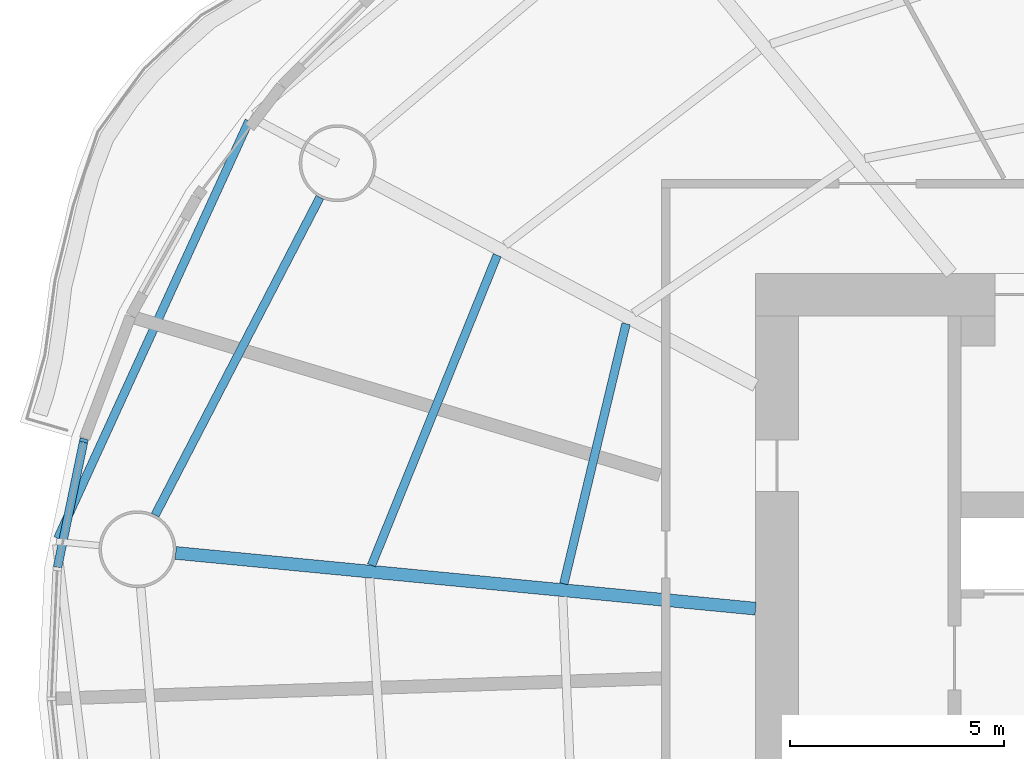
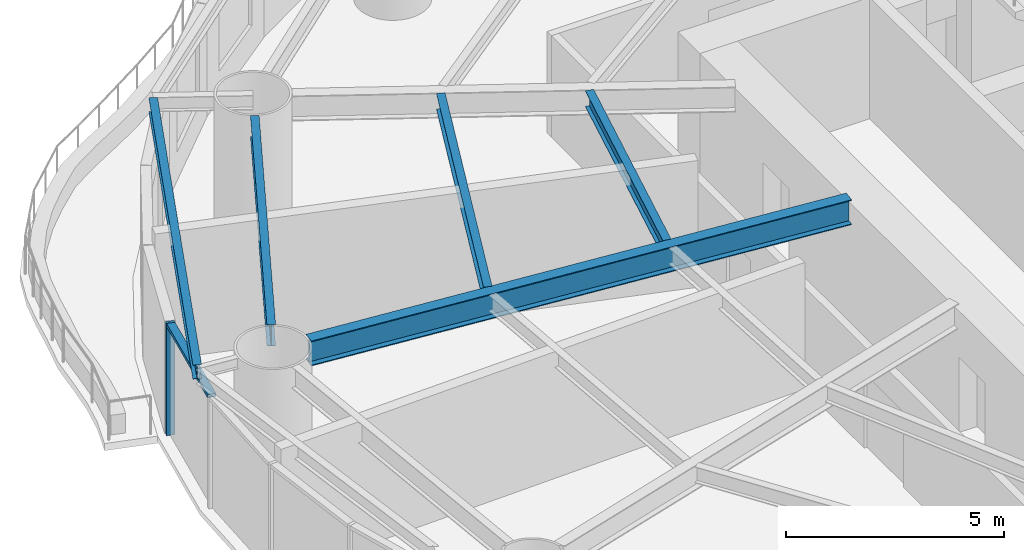
# One storey, part 3 of 16: 5 beams, 2 members, 1 element without a shape of its own.
"""IFC4 building model written with IfcOpenShell, lengths in metres."""

from ifc_helpers import new_model, si_unit, direction, frame, origin, origin_2d, place, context, subcontext, project, spatial, rectangle, i_section, extrude, material, material_profile, profile_set, type_object, element, aggregate, save


model = new_model("IFC4")

# Units and contexts
model_context = context("Model", 3, precision=1e-05, world=origin(), true_north=direction((0.0, 1.0)))
body_context = subcontext(model_context, "Body", "Model", "MODEL_VIEW")
ifc_project = project(units=[si_unit("LENGTHUNIT", "METRE"), si_unit("AREAUNIT", "SQUARE_METRE"), si_unit("VOLUMEUNIT", "CUBIC_METRE"), si_unit("PLANEANGLEUNIT", "RADIAN"), si_unit("MASSUNIT", "GRAM", prefix="KILO")], contexts=[model_context])

# Site, building, storey
site_placement = place(None, origin())
site = spatial("IfcSite", under=ifc_project, at=site_placement, CompositionType="ELEMENT")
building_placement = place(site_placement, origin())
building = spatial("IfcBuilding", under=site, at=building_placement, Name="Vermilion Reach Broadcast Tower", CompositionType="ELEMENT")
storey_placement = place(building_placement, frame((0.0, 0.0, 43.39990234375)))
storey = spatial("IfcBuildingStorey", under=building, at=storey_placement, Name="L07", CompositionType="ELEMENT", Elevation=43.39990234375)

# Beams
ifc_material_1 = material(Name="Steel S355J2", Category="steel")
ifc_material_profile_1 = material_profile(ifc_material_1, i_section(OverallWidth=0.199951171875, OverallDepth=0.39990234375, WebThickness=0.008056640625, FlangeThickness=0.012939453125, at=origin_2d()), Name="S355J2 HN 400x200x8x13")
ifc_profile_set_1 = profile_set([ifc_material_profile_1], Name="Steel S355J2")
beam_type_1 = type_object("IfcBeamType", Name="EB1 HN 400x200x8x13", PredefinedType="BEAM", material=ifc_profile_set_1)
beam_1_placement = place(storey_placement, frame((-29.853759765625, 12.564697265625, 3.35009765625), z_axis=(-0.416361224981, -0.909199279769, 0.0), x_axis=(0.909199279769, -0.416361224981, 0.0)))
element("IfcBeam", 1, at=beam_1_placement, inside=storey, type_object=beam_type_1, Name="Edge beam EB1-07", PredefinedType="BEAM", context=body_context, shape_type="SweptSolid", body=[
    extrude(i_section(OverallWidth=0.199951171875, OverallDepth=0.39990234375, WebThickness=0.008056640625, FlangeThickness=0.012939453125, at=origin_2d()), origin(), (0.0, 0.0, 1.0), 10.7421875),
])
ifc_material_2 = material(Name="Steel S355J2", Category="steel")
ifc_material_profile_2 = material_profile(ifc_material_2, i_section(OverallWidth=0.300048828125, OverallDepth=0.699951171875, WebThickness=0.012939453125, FlangeThickness=0.02392578125, at=origin_2d()), Name="S355J2 HN 700x300x13x24")
ifc_profile_set_2 = profile_set([ifc_material_profile_2], Name="Steel S355J2")
beam_type_2 = type_object("IfcBeamType", Name="G1 HN 700x300x13x24", PredefinedType="BEAM", material=ifc_profile_set_2)
beam_2_placement = place(storey_placement, frame((-18.0, 1.1533203125, 3.2001953125), z_axis=(-0.995412178872, 0.095679643363, 0.0), x_axis=(-0.095679643363, -0.995412178872, 0.0)))
element("IfcBeam", 2, at=beam_2_placement, inside=storey, type_object=beam_type_2, Name="Girder G1-08", PredefinedType="BEAM", context=body_context, shape_type="SweptSolid", body=[
    extrude(i_section(OverallWidth=0.300048828125, OverallDepth=0.699951171875, WebThickness=0.012939453125, FlangeThickness=0.02392578125, at=origin_2d()), origin(), (0.0, 0.0, 1.0), 13.630859375),
])
ifc_material_3 = material(Name="Steel S355J2", Category="steel")
ifc_material_profile_3 = material_profile(ifc_material_3, i_section(OverallWidth=0.199951171875, OverallDepth=0.60009765625, WebThickness=0.010986328125, FlangeThickness=0.01708984375, at=origin_2d()), Name="S355J2 HN 600x200x11x17")
ifc_profile_set_3 = profile_set([ifc_material_profile_3], Name="Steel S355J2")
beam_type_3 = type_object("IfcBeamType", Name="RB1 HN 600x200x11x17", PredefinedType="BEAM", material=ifc_profile_set_3)
beam_3_placement = place(storey_placement, frame((-28.194091796875, 10.776611328125, 3.25), z_axis=(-0.460411617218, -0.887705549566, 0.0), x_axis=(0.887705549566, -0.460411617218, 0.0)))
element("IfcBeam", 3, at=beam_3_placement, inside=storey, type_object=beam_type_3, Name="Ring beam RB1-07", PredefinedType="BEAM", context=body_context, shape_type="SweptSolid", body=[
    extrude(i_section(OverallWidth=0.199951171875, OverallDepth=0.60009765625, WebThickness=0.010986328125, FlangeThickness=0.01708984375, at=origin_2d()), origin(), (0.0, 0.0, 1.0), 8.37451171875),
])
ifc_material_4 = material(Name="Steel S355J2", Category="steel")
ifc_material_profile_4 = material_profile(ifc_material_4, i_section(OverallWidth=0.199951171875, OverallDepth=0.449951171875, WebThickness=0.009033203125, FlangeThickness=0.013916015625, at=origin_2d()), Name="S355J2 HN 450x200x9x14")
ifc_profile_set_4 = profile_set([ifc_material_profile_4], Name="Steel S355J2")
beam_type_4 = type_object("IfcBeamType", Name="SB1 HN 450x200x9x14", PredefinedType="BEAM", material=ifc_profile_set_4)
beam_4_placement = place(storey_placement, frame((-21.031005859375, 7.81884765625, 3.3251953125), z_axis=(-0.232844467589, -0.972513986487, 0.0), x_axis=(0.972513986487, -0.232844467589, 0.0)))
element("IfcBeam", 4, at=beam_4_placement, inside=storey, type_object=beam_type_4, Name="Secondary beam SB1-07-1", PredefinedType="BEAM", context=body_context, shape_type="SweptSolid", body=[
    extrude(i_section(OverallWidth=0.199951171875, OverallDepth=0.449951171875, WebThickness=0.009033203125, FlangeThickness=0.013916015625, at=origin_2d()), origin(), (0.0, 0.0, 1.0), 6.25537109375),
])
beam_5_placement = place(storey_placement, frame((-24.046630859375, 9.421630859375, 3.3251953125), z_axis=(-0.375640669938, -0.926765389453, 0.0), x_axis=(0.926765389453, -0.375640669938, 0.0)))
element("IfcBeam", 5, at=beam_5_placement, inside=storey, type_object=beam_type_4, Name="Secondary beam SB1-07-2", PredefinedType="BEAM", context=body_context, shape_type="SweptSolid", body=[
    extrude(i_section(OverallWidth=0.199951171875, OverallDepth=0.449951171875, WebThickness=0.009033203125, FlangeThickness=0.013916015625, at=origin_2d()), origin(), (0.0, 0.0, 1.0), 7.8271484375),
])

# Curtain wall, members
ifc_material_5 = material(Name="Low-e laminated clear glass in aluminium frame", Category="aluminium")
curtain_wall_type = type_object("IfcCurtainWallType", Name="Slot curtain wall", PredefinedType="NOTDEFINED", material=ifc_material_5)
curtain_wall_placement = place(storey_placement, origin())
curtain_wall = element("IfcCurtainWall", 6, at=curtain_wall_placement, inside=storey, type_object=curtain_wall_type, Name="Slot curtain wall L07 22", PredefinedType="NOTDEFINED")
ifc_material_6 = material(Name="Anodised aluminium", Category="aluminium")
ifc_material_profile_5 = material_profile(ifc_material_6, rectangle(XDim=0.199951171875, YDim=0.080078125, at=origin_2d()), Name="Slot mullion 80 x 200")
ifc_profile_set_5 = profile_set([ifc_material_profile_5], Name="Anodised aluminium")
member_type_1 = type_object("IfcMemberType", Name="Slot mullion 80 x 200", PredefinedType="MULLION", material=ifc_profile_set_5)
member_1_placement = place(storey_placement, frame((-33.71728515625, 5.088623046875, 0.0), z_axis=(0.0, 0.0, 1.0), x_axis=(0.960520167064, -0.278210367641, 0.0)))
member_1 = element("IfcMember", 7, at=member_1_placement, type_object=member_type_1, Name="Slot mullion L07 22", PredefinedType="MULLION", context=body_context, shape_type="SweptSolid", body=[
    extrude(rectangle(XDim=0.199951171875, YDim=0.080078125, at=origin_2d()), origin(), (0.0, 0.0, 1.0), 3.150146484375),
])
ifc_material_7 = material(Name="Anodised aluminium", Category="aluminium")
ifc_material_profile_6 = material_profile(ifc_material_7, rectangle(XDim=0.199951171875, YDim=0.10009765625, at=origin_2d()), Name="Slot transom 200 x 100")
ifc_profile_set_6 = profile_set([ifc_material_profile_6], Name="Anodised aluminium")
member_type_2 = type_object("IfcMemberType", Name="Slot transom 200 x 100", PredefinedType="USERDEFINED", material=ifc_profile_set_6)
member_2_placement = place(storey_placement, frame((-33.7255859375, 5.049560546875, 3.10009765625), z_axis=(-0.203164737702, -0.979144570201, 0.0), x_axis=(0.979144570201, -0.203164737702, 0.0)))
member_2 = element("IfcMember", 8, at=member_2_placement, type_object=member_type_2, Name="Slot transom L07 22.1", ObjectType="TRANSOM", PredefinedType="USERDEFINED", context=body_context, shape_type="SweptSolid", body=[
    extrude(rectangle(XDim=0.199951171875, YDim=0.10009765625, at=origin_2d()), origin(), (0.0, 0.0, 1.0), 2.988525390625),
])
aggregate(curtain_wall, [member_1, member_2])

save(model, "model.ifc")
